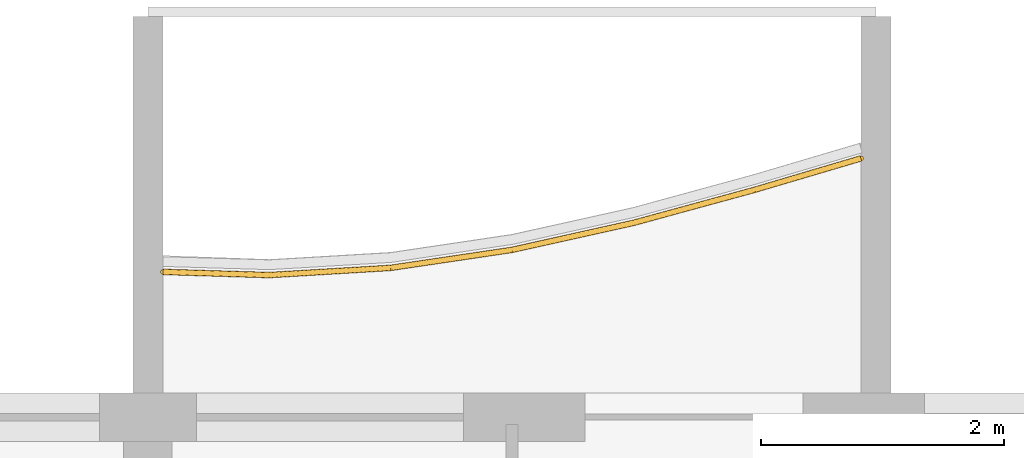
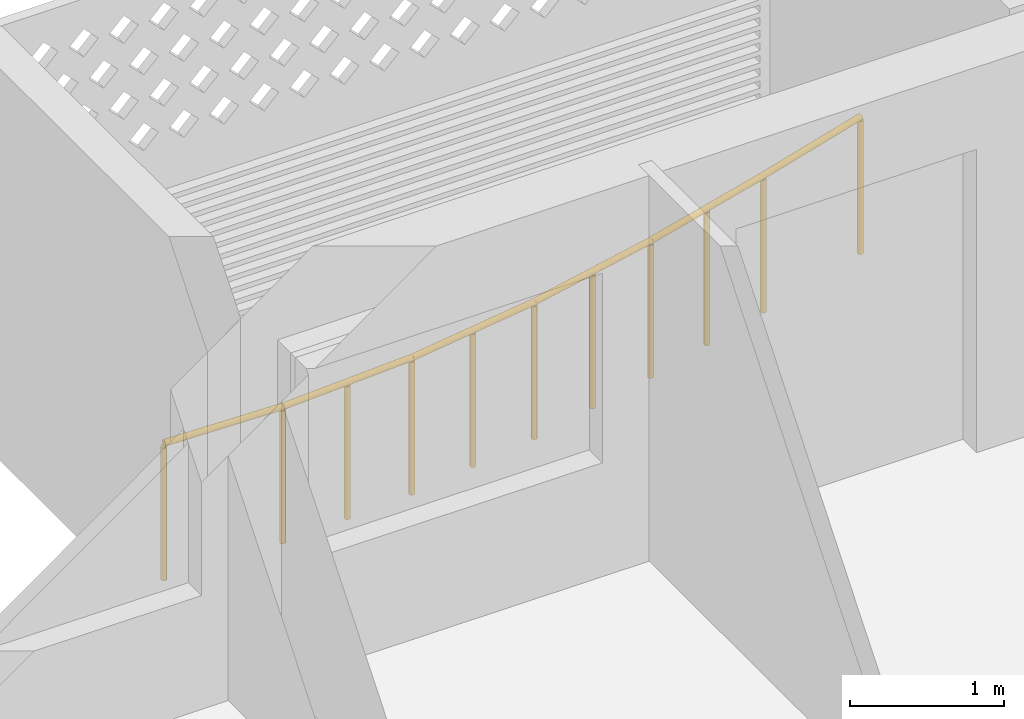
# One storey, part 24 of 38: 1 railing.
"""IFC4 building model written with IfcOpenShell, lengths in metres."""

from ifc_helpers import new_model, si_unit, direction, frame, origin, origin_2d, place, context, subcontext, project, spatial, circle, extrude, material, type_object, element, save


model = new_model("IFC4")

# Units and contexts
model_context = context("Model", 3, precision=1e-05, world=origin(), true_north=direction((0.0, 1.0)))
body_context = subcontext(model_context, "Body", "Model", "MODEL_VIEW")
ifc_project = project(units=[si_unit("LENGTHUNIT", "METRE"), si_unit("AREAUNIT", "SQUARE_METRE"), si_unit("VOLUMEUNIT", "CUBIC_METRE"), si_unit("PLANEANGLEUNIT", "RADIAN"), si_unit("MASSUNIT", "GRAM", prefix="KILO")], contexts=[model_context])

# Site, building, storey
site_placement = place(None, origin())
site = spatial("IfcSite", under=ifc_project, at=site_placement, CompositionType="ELEMENT")
building_placement = place(site_placement, origin())
building = spatial("IfcBuilding", under=site, at=building_placement, Name="Poui Terraces", CompositionType="ELEMENT")
storey_placement = place(building_placement, frame((0.0, 0.0, 43.199951171875)))
storey = spatial("IfcBuildingStorey", under=building, at=storey_placement, Name="L11", CompositionType="ELEMENT", Elevation=43.199951171875)

# Railing
ifc_material = material(Name="Painted steel fretwork", Category="steel")
railing_type = type_object("IfcRailingType", Name="BALCONY GUARD 1100", PredefinedType="GUARDRAIL", material=ifc_material)
railing_placement = place(storey_placement, frame((30.125, 45.996826171875, 0.0)))
element("IfcRailing", 1, at=railing_placement, inside=storey, type_object=railing_type, Name="BALCONY GUARD", PredefinedType="GUARDRAIL", context=body_context, shape_type="SweptSolid", body=[
    extrude(circle(Radius=0.02392578125, at=origin_2d()), frame((0.0, 0.0, 1.076171875), z_axis=(0.999554639848, -0.029841614527, 0.0), x_axis=(0.029841614527, 0.999554639848, 0.0)), (0.0, 0.0, 1.0), 0.87548828125),
    extrude(circle(Radius=0.02392578125, at=origin_2d()), frame((0.875, -0.026123046875, 1.076171875), z_axis=(0.998244834412, 0.05922204462, 0.0), x_axis=(-0.05922204462, 0.998244834412, 0.0)), (0.0, 0.0, 1.0), 1.001708984375),
    extrude(circle(Radius=0.02392578125, at=origin_2d()), frame((1.875, 0.033203125, 1.076171875), z_axis=(0.989161931015, 0.146828724135, 0.0), x_axis=(-0.146828724135, 0.989161931015, 0.0)), (0.0, 0.0, 1.0), 1.010986328125),
    extrude(circle(Radius=0.02392578125, at=origin_2d()), frame((2.875, 0.181640625, 1.076171875), z_axis=(0.976198274393, 0.216879987719, 0.0), x_axis=(-0.216879987719, 0.976198274393, 0.0)), (0.0, 0.0, 1.0), 1.0244140625),
    extrude(circle(Radius=0.02392578125, at=origin_2d()), frame((3.875, 0.40380859375, 1.076171875), z_axis=(0.964709448785, 0.263316690367, 0.0), x_axis=(-0.263316690367, 0.964709448785, 0.0)), (0.0, 0.0, 1.0), 1.03662109375),
    extrude(circle(Radius=0.02392578125, at=origin_2d()), frame((4.875, 0.6767578125, 1.076171875), z_axis=(0.959011097716, 0.283368513527, 0.0), x_axis=(-0.283368513527, 0.959011097716, 0.0)), (0.0, 0.0, 1.0), 0.912353515625),
    extrude(circle(Radius=0.02099609375, at=origin_2d()), origin(), (0.0, 0.0, 1.0), 1.052001953125),
    extrude(circle(Radius=0.02099609375, at=origin_2d()), frame((0.875, -0.026123046875, 0.0)), (0.0, 0.0, 1.0), 1.052001953125),
    extrude(circle(Radius=0.02099609375, at=origin_2d()), frame((1.375, 0.00341796875, 0.0)), (0.0, 0.0, 1.0), 1.052001953125),
    extrude(circle(Radius=0.02099609375, at=origin_2d()), frame((1.875, 0.033203125, 0.0)), (0.0, 0.0, 1.0), 1.052001953125),
    extrude(circle(Radius=0.02099609375, at=origin_2d()), frame((2.375, 0.107421875, 0.0)), (0.0, 0.0, 1.0), 1.052001953125),
    extrude(circle(Radius=0.02099609375, at=origin_2d()), frame((2.875, 0.181640625, 0.0)), (0.0, 0.0, 1.0), 1.052001953125),
    extrude(circle(Radius=0.02099609375, at=origin_2d()), frame((3.375, 0.292724609375, 0.0)), (0.0, 0.0, 1.0), 1.052001953125),
    extrude(circle(Radius=0.02099609375, at=origin_2d()), frame((3.875, 0.40380859375, 0.0)), (0.0, 0.0, 1.0), 1.052001953125),
    extrude(circle(Radius=0.02099609375, at=origin_2d()), frame((4.375, 0.540283203125, 0.0)), (0.0, 0.0, 1.0), 1.052001953125),
    extrude(circle(Radius=0.02099609375, at=origin_2d()), frame((4.875, 0.6767578125, 0.0)), (0.0, 0.0, 1.0), 1.052001953125),
    extrude(circle(Radius=0.02099609375, at=origin_2d()), frame((5.75, 0.935302734375, 0.0)), (0.0, 0.0, 1.0), 1.052001953125),
])

save(model, "model.ifc")
